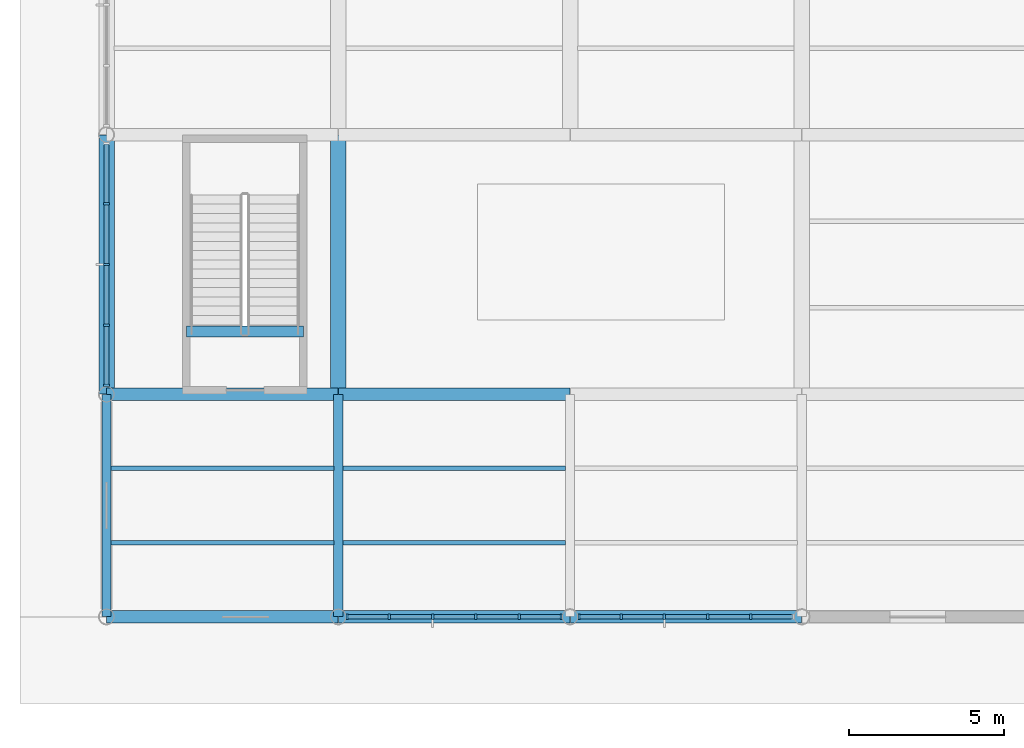
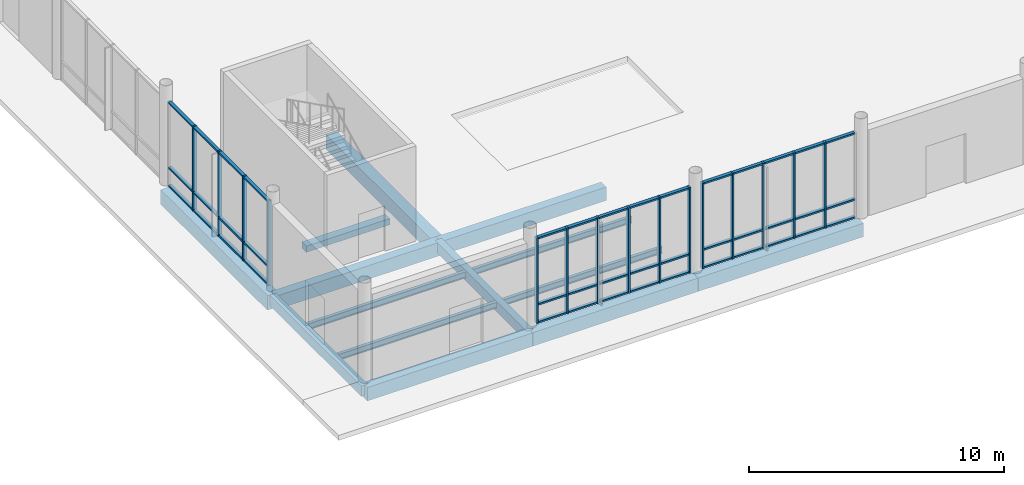
# One storey, part 15 of 82: 57 members, 14 beams, 3 elements without a shape of their own.
"""IFC4 building model written with IfcOpenShell, lengths in metres."""

from ifc_helpers import new_model, si_unit, direction, frame, origin, origin_2d, place, context, subcontext, project, spatial, rectangle, i_section, extrude, material, layer, layer_set, material_profile, profile_set, type_object, element, aggregate, save


model = new_model("IFC4")

# Units and contexts
model_context = context("Model", 3, precision=1e-05, world=origin(), true_north=direction((0.0, 1.0)))
body_context = subcontext(model_context, "Body", "Model", "MODEL_VIEW")
ifc_project = project(units=[si_unit("LENGTHUNIT", "METRE"), si_unit("AREAUNIT", "SQUARE_METRE"), si_unit("VOLUMEUNIT", "CUBIC_METRE"), si_unit("PLANEANGLEUNIT", "RADIAN"), si_unit("MASSUNIT", "GRAM", prefix="KILO")], contexts=[model_context])

# Site, building, storey
site_placement = place(None, origin())
site = spatial("IfcSite", under=ifc_project, at=site_placement, CompositionType="ELEMENT")
building_placement = place(site_placement, origin())
building = spatial("IfcBuilding", under=site, at=building_placement, Name="Yukiwa Park Conservatory and Herbarium", CompositionType="ELEMENT")
storey_placement = place(building_placement, origin())
storey = spatial("IfcBuildingStorey", under=building, at=storey_placement, Name="L00", CompositionType="ELEMENT", Elevation=0.0)

# Beams
ifc_material_1 = material(Name="Steel Q355D", Category="steel")
ifc_material_profile_1 = material_profile(ifc_material_1, i_section(OverallWidth=0.14892578125, OverallDepth=0.298095703125, WebThickness=0.005615234375, FlangeThickness=0.008056640625, FilletRadius=0.012939453125, at=origin_2d()), Name="HN 298x149x5.5x8")
ifc_profile_set_1 = profile_set([ifc_material_profile_1], Name="Steel Q355D")
beam_type_1 = type_object("IfcBeamType", Name="BM-JST-HN298", PredefinedType="JOIST", material=ifc_profile_set_1)
for number, where, z_axis, x_axis, name in (
    (1, (0.14599609375, 2.39990234375, -0.408935546875), (1.0, 0.0, 0.0), (0.0, 1.0, 0.0), "L00 composite floor joist 1"),
    (2, (0.14599609375, 4.800048828125, -0.408935546875), (1.0, 0.0, 0.0), (0.0, 1.0, 0.0), "L00 composite floor joist 2"),
    (3, (7.64599609375, 2.39990234375, -0.408935546875), (1.0, 0.0, 0.0), (0.0, 1.0, 0.0), "L00 composite floor joist 7"),
    (4, (7.64599609375, 4.800048828125, -0.408935546875), (1.0, 0.0, 0.0), (0.0, 1.0, 0.0), "L00 composite floor joist 8"),
):
    element("IfcBeam", number, at=place(storey_placement, frame(where, z_axis=z_axis, x_axis=x_axis)), inside=storey, type_object=beam_type_1, Name=name, PredefinedType="JOIST", context=body_context, shape_type="SweptSolid", body=[
        extrude(i_section(OverallWidth=0.14892578125, OverallDepth=0.298095703125, WebThickness=0.005615234375, FlangeThickness=0.008056640625, FilletRadius=0.012939453125, at=origin_2d()), origin(), (0.0, 0.0, 1.0), 7.2080078125),
    ])
ifc_material_2 = material(Name="Concrete C40", Category="concrete")
ifc_material_profile_2 = material_profile(ifc_material_2, rectangle(XDim=0.300048828125, YDim=0.5, at=origin_2d()), Name="RC 300x500")
ifc_profile_set_2 = profile_set([ifc_material_profile_2], Name="Concrete C40")
beam_type_2 = type_object("IfcBeamType", Name="BM-RC-300X500", PredefinedType="BEAM", material=ifc_profile_set_2)
for number, where, z_axis, x_axis, name in (
    (5, (0.0, 0.006103515625, -0.510009765625), (0.0, 1.0, 0.0), (-1.0, 0.0, 0.0), "L00 grid girder Y-154"),
    (6, (7.5, 0.006103515625, -0.510009765625), (0.0, 1.0, 0.0), (-1.0, 0.0, 0.0), "L00 grid girder Y-158"),
):
    element("IfcBeam", number, at=place(storey_placement, frame(where, z_axis=z_axis, x_axis=x_axis)), inside=storey, type_object=beam_type_2, Name=name, PredefinedType="BEAM", context=body_context, shape_type="SweptSolid", body=[
        extrude(rectangle(XDim=0.300048828125, YDim=0.5, at=origin_2d()), origin(), (0.0, 0.0, 1.0), 7.18798828125),
    ])
ifc_material_3 = material(Name="Concrete C40", Category="concrete")
ifc_material_profile_3 = material_profile(ifc_material_3, rectangle(XDim=0.39990234375, YDim=0.64990234375, at=origin_2d()), Name="RC 400x650")
ifc_profile_set_3 = profile_set([ifc_material_profile_3], Name="Concrete C40")
beam_type_3 = type_object("IfcBeamType", Name="BM-RC-400X650", PredefinedType="BEAM", material=ifc_profile_set_3)
for number, where, z_axis, x_axis, name in (
    (7, (0.006103515625, 0.0, -0.5849609375), (1.0, 0.0, 0.0), (0.0, 1.0, 0.0), "L00 grid beam X-1"),
    (8, (7.506103515625, 0.0, -0.5849609375), (1.0, 0.0, 0.0), (0.0, 1.0, 0.0), "L00 grid beam X-2"),
    (9, (15.006103515625, 0.0, -0.5849609375), (1.0, 0.0, 0.0), (0.0, 1.0, 0.0), "L00 grid beam X-3"),
    (10, (0.006103515625, 7.199951171875, -0.5849609375), (1.0, 0.0, 0.0), (0.0, 1.0, 0.0), "L00 grid beam X-9"),
    (11, (7.506103515625, 7.199951171875, -0.5849609375), (1.0, 0.0, 0.0), (0.0, 1.0, 0.0), "L00 grid beam X-10"),
):
    element("IfcBeam", number, at=place(storey_placement, frame(where, z_axis=z_axis, x_axis=x_axis)), inside=storey, type_object=beam_type_3, Name=name, PredefinedType="BEAM", context=body_context, shape_type="SweptSolid", body=[
        extrude(rectangle(XDim=0.39990234375, YDim=0.64990234375, at=origin_2d()), origin(), (0.0, 0.0, 1.0), 7.48779296875),
    ])
ifc_material_4 = material(Name="Concrete C40", Category="concrete")
ifc_material_profile_4 = material_profile(ifc_material_4, rectangle(XDim=0.5, YDim=0.699951171875, at=origin_2d()), Name="RC 500x700")
ifc_profile_set_4 = profile_set([ifc_material_profile_4], Name="Concrete C40")
beam_type_4 = type_object("IfcBeamType", Name="BM-RC-500X700", PredefinedType="BEAM", material=ifc_profile_set_4)
for number, where, z_axis, x_axis, name in (
    (12, (0.0, 7.2060546875, -0.610107421875), (0.0, 1.0, 0.0), (-1.0, 0.0, 0.0), "L00 grid girder Y-155"),
    (13, (7.5, 7.2060546875, -0.610107421875), (0.0, 1.0, 0.0), (-1.0, 0.0, 0.0), "L00 grid girder Y-159"),
):
    element("IfcBeam", number, at=place(storey_placement, frame(where, z_axis=z_axis, x_axis=x_axis)), inside=storey, type_object=beam_type_4, Name=name, PredefinedType="BEAM", context=body_context, shape_type="SweptSolid", body=[
        extrude(rectangle(XDim=0.5, YDim=0.699951171875, at=origin_2d()), origin(), (0.0, 0.0, 1.0), 8.387939453125),
    ])
ifc_material_5 = material(Name="Concrete C40", Category="concrete")
ifc_material_profile_5 = material_profile(ifc_material_5, rectangle(XDim=0.35009765625, YDim=0.300048828125, at=origin_2d()), Name="RC 350x300")
ifc_profile_set_5 = profile_set([ifc_material_profile_5], Name="Concrete C40")
beam_type_5 = type_object("IfcBeamType", Name="BM-STAIR-TRIM", PredefinedType="BEAM", material=ifc_profile_set_5)
beam_placement = place(storey_placement, frame((2.580078125, 9.22998046875, -0.14990234375), z_axis=(1.0, 0.0, 0.0), x_axis=(0.0, 1.0, 0.0)))
element("IfcBeam", 14, at=beam_placement, inside=storey, type_object=beam_type_5, Name="Stair ST-C1 L00 landing trimmer beam", PredefinedType="BEAM", context=body_context, shape_type="SweptSolid", body=[
    extrude(rectangle(XDim=0.35009765625, YDim=0.300048828125, at=origin_2d()), origin(), (0.0, 0.0, 1.0), 3.7900390625),
])

# Curtain wall, members
ifc_material_6 = material(Name="Triple Low-E Insulated Glass", Category="glass")
ifc_layer_1 = layer(ifc_material_6, 0.152099609375)
ifc_layer_set_1 = layer_set([ifc_layer_1], Name="Triple Low-E Insulated Glass")
curtain_wall_type_1 = type_object("IfcCurtainWallType", Name="CW-CONSERVATORY-1500", PredefinedType="NOTDEFINED", material=ifc_layer_set_1)
curtain_wall_1_placement = place(storey_placement, origin())
curtain_wall_1 = element("IfcCurtainWall", 15, at=curtain_wall_1_placement, inside=storey, type_object=curtain_wall_type_1, Name="L00 unitised curtain wall CW-L00-001", PredefinedType="NOTDEFINED")
ifc_material_7 = material(Name="Anodised Aluminium", Category="aluminium")
member_type_1 = type_object("IfcMemberType", Name="MB-CW-MUL-80X180", PredefinedType="MULLION", material=ifc_material_7)
member_1_placement = place(storey_placement, frame((7.7939453125, 0.0, 0.0), z_axis=(0.0, 0.0, 1.0), x_axis=(1.0, 0.0, 0.0)))
member_1 = element("IfcMember", 16, at=member_1_placement, type_object=member_type_1, Name="CW-L00-001 mullion 1", PredefinedType="MULLION", context=body_context, shape_type="SweptSolid", body=[
    extrude(rectangle(XDim=0.080078125, YDim=0.179931640625, at=origin_2d()), origin(), (0.0, 0.0, 1.0), 4.110107421875),
])
member_2_placement = place(storey_placement, frame((9.15234375, 0.0, 0.0), z_axis=(0.0, 0.0, 1.0), x_axis=(1.0, 0.0, 0.0)))
member_2 = element("IfcMember", 17, at=member_2_placement, type_object=member_type_1, Name="CW-L00-001 mullion 2", PredefinedType="MULLION", context=body_context, shape_type="SweptSolid", body=[
    extrude(rectangle(XDim=0.080078125, YDim=0.179931640625, at=origin_2d()), origin(), (0.0, 0.0, 1.0), 4.110107421875),
])
member_3_placement = place(storey_placement, frame((10.55078125, 0.0, 0.0), z_axis=(0.0, 0.0, 1.0), x_axis=(1.0, 0.0, 0.0)))
member_3 = element("IfcMember", 18, at=member_3_placement, type_object=member_type_1, Name="CW-L00-001 mullion 3", PredefinedType="MULLION", context=body_context, shape_type="SweptSolid", body=[
    extrude(rectangle(XDim=0.080078125, YDim=0.179931640625, at=origin_2d()), origin(), (0.0, 0.0, 1.0), 4.110107421875),
])
member_4_placement = place(storey_placement, frame((11.94921875, 0.0, 0.0), z_axis=(0.0, 0.0, 1.0), x_axis=(1.0, 0.0, 0.0)))
member_4 = element("IfcMember", 19, at=member_4_placement, type_object=member_type_1, Name="CW-L00-001 mullion 4", PredefinedType="MULLION", context=body_context, shape_type="SweptSolid", body=[
    extrude(rectangle(XDim=0.080078125, YDim=0.179931640625, at=origin_2d()), origin(), (0.0, 0.0, 1.0), 4.110107421875),
])
member_5_placement = place(storey_placement, frame((13.34765625, 0.0, 0.0), z_axis=(0.0, 0.0, 1.0), x_axis=(1.0, 0.0, 0.0)))
member_5 = element("IfcMember", 20, at=member_5_placement, type_object=member_type_1, Name="CW-L00-001 mullion 5", PredefinedType="MULLION", context=body_context, shape_type="SweptSolid", body=[
    extrude(rectangle(XDim=0.080078125, YDim=0.179931640625, at=origin_2d()), origin(), (0.0, 0.0, 1.0), 4.110107421875),
])
member_6_placement = place(storey_placement, frame((14.7060546875, 0.0, 0.0), z_axis=(0.0, 0.0, 1.0), x_axis=(1.0, 0.0, 0.0)))
member_6 = element("IfcMember", 21, at=member_6_placement, type_object=member_type_1, Name="CW-L00-001 mullion 6", PredefinedType="MULLION", context=body_context, shape_type="SweptSolid", body=[
    extrude(rectangle(XDim=0.080078125, YDim=0.179931640625, at=origin_2d()), origin(), (0.0, 0.0, 1.0), 4.110107421875),
])

curtain_wall_2_placement = place(storey_placement, origin())
curtain_wall_2 = element("IfcCurtainWall", 22, at=curtain_wall_2_placement, inside=storey, type_object=curtain_wall_type_1, Name="L00 unitised curtain wall CW-L00-002", PredefinedType="NOTDEFINED")
member_7_placement = place(storey_placement, frame((15.2939453125, 0.0, 0.0), z_axis=(0.0, 0.0, 1.0), x_axis=(1.0, 0.0, 0.0)))
member_7 = element("IfcMember", 23, at=member_7_placement, type_object=member_type_1, Name="CW-L00-002 mullion 1", PredefinedType="MULLION", context=body_context, shape_type="SweptSolid", body=[
    extrude(rectangle(XDim=0.080078125, YDim=0.179931640625, at=origin_2d()), origin(), (0.0, 0.0, 1.0), 4.110107421875),
])
member_8_placement = place(storey_placement, frame((16.65234375, 0.0, 0.0), z_axis=(0.0, 0.0, 1.0), x_axis=(1.0, 0.0, 0.0)))
member_8 = element("IfcMember", 24, at=member_8_placement, type_object=member_type_1, Name="CW-L00-002 mullion 2", PredefinedType="MULLION", context=body_context, shape_type="SweptSolid", body=[
    extrude(rectangle(XDim=0.080078125, YDim=0.179931640625, at=origin_2d()), origin(), (0.0, 0.0, 1.0), 4.110107421875),
])
member_9_placement = place(storey_placement, frame((18.05078125, 0.0, 0.0), z_axis=(0.0, 0.0, 1.0), x_axis=(1.0, 0.0, 0.0)))
member_9 = element("IfcMember", 25, at=member_9_placement, type_object=member_type_1, Name="CW-L00-002 mullion 3", PredefinedType="MULLION", context=body_context, shape_type="SweptSolid", body=[
    extrude(rectangle(XDim=0.080078125, YDim=0.179931640625, at=origin_2d()), origin(), (0.0, 0.0, 1.0), 4.110107421875),
])
member_10_placement = place(storey_placement, frame((19.44921875, 0.0, 0.0), z_axis=(0.0, 0.0, 1.0), x_axis=(1.0, 0.0, 0.0)))
member_10 = element("IfcMember", 26, at=member_10_placement, type_object=member_type_1, Name="CW-L00-002 mullion 4", PredefinedType="MULLION", context=body_context, shape_type="SweptSolid", body=[
    extrude(rectangle(XDim=0.080078125, YDim=0.179931640625, at=origin_2d()), origin(), (0.0, 0.0, 1.0), 4.110107421875),
])
member_11_placement = place(storey_placement, frame((20.84765625, 0.0, 0.0), z_axis=(0.0, 0.0, 1.0), x_axis=(1.0, 0.0, 0.0)))
member_11 = element("IfcMember", 27, at=member_11_placement, type_object=member_type_1, Name="CW-L00-002 mullion 5", PredefinedType="MULLION", context=body_context, shape_type="SweptSolid", body=[
    extrude(rectangle(XDim=0.080078125, YDim=0.179931640625, at=origin_2d()), origin(), (0.0, 0.0, 1.0), 4.110107421875),
])

ifc_material_8 = material(Name="Triple Low-E Insulated Glass", Category="glass")
ifc_layer_2 = layer(ifc_material_8, 0.1640625)
ifc_layer_set_2 = layer_set([ifc_layer_2], Name="Triple Low-E Insulated Glass")
curtain_wall_type_2 = type_object("IfcCurtainWallType", Name="CW-CONSERVATORY-1875", PredefinedType="NOTDEFINED", material=ifc_layer_set_2)
curtain_wall_3_placement = place(storey_placement, origin())
curtain_wall_3 = element("IfcCurtainWall", 28, at=curtain_wall_3_placement, inside=storey, type_object=curtain_wall_type_2, Name="L00 unitised curtain wall CW-L00-025", PredefinedType="NOTDEFINED")
member_12_placement = place(storey_placement, frame((0.0, 13.373046875, 0.0), z_axis=(0.0, 0.0, 1.0), x_axis=(0.0, -1.0, 0.0)))
member_12 = element("IfcMember", 29, at=member_12_placement, type_object=member_type_1, Name="CW-L00-025 mullion 2", PredefinedType="MULLION", context=body_context, shape_type="SweptSolid", body=[
    extrude(rectangle(XDim=0.080078125, YDim=0.179931640625, at=origin_2d()), origin(), (0.0, 0.0, 1.0), 4.06005859375),
])
member_13_placement = place(storey_placement, frame((0.0, 11.39990234375, 0.0), z_axis=(0.0, 0.0, 1.0), x_axis=(0.0, -1.0, 0.0)))
member_13 = element("IfcMember", 30, at=member_13_placement, type_object=member_type_1, Name="CW-L00-025 mullion 3", PredefinedType="MULLION", context=body_context, shape_type="SweptSolid", body=[
    extrude(rectangle(XDim=0.080078125, YDim=0.179931640625, at=origin_2d()), origin(), (0.0, 0.0, 1.0), 4.06005859375),
])
member_14_placement = place(storey_placement, frame((0.0, 9.427001953125, 0.0), z_axis=(0.0, 0.0, 1.0), x_axis=(0.0, -1.0, 0.0)))
member_14 = element("IfcMember", 31, at=member_14_placement, type_object=member_type_1, Name="CW-L00-025 mullion 4", PredefinedType="MULLION", context=body_context, shape_type="SweptSolid", body=[
    extrude(rectangle(XDim=0.080078125, YDim=0.179931640625, at=origin_2d()), origin(), (0.0, 0.0, 1.0), 4.06005859375),
])
member_15_placement = place(storey_placement, frame((0.0, 7.493896484375, 0.0), z_axis=(0.0, 0.0, 1.0), x_axis=(0.0, -1.0, 0.0)))
member_15 = element("IfcMember", 32, at=member_15_placement, type_object=member_type_1, Name="CW-L00-025 mullion 5", PredefinedType="MULLION", context=body_context, shape_type="SweptSolid", body=[
    extrude(rectangle(XDim=0.080078125, YDim=0.179931640625, at=origin_2d()), origin(), (0.0, 0.0, 1.0), 4.06005859375),
])

# Member
ifc_material_9 = material(Name="Anodised Aluminium", Category="aluminium")
member_type_2 = type_object("IfcMemberType", Name="MB-CW-TRN-80X150", PredefinedType="USERDEFINED", material=ifc_material_9)
member_16_placement = place(storey_placement, frame((8.453125, 0.0, 0.0), z_axis=(0.0, 0.0, 1.0), x_axis=(1.0, 0.0, 0.0)))
member_16 = element("IfcMember", 33, at=member_16_placement, type_object=member_type_2, Name="CW-L00-001 transom 1.1", ObjectType="TRANSOM", PredefinedType="USERDEFINED", context=body_context, shape_type="SweptSolid", body=[
    extrude(rectangle(XDim=1.318359375, YDim=0.14990234375, at=origin_2d()), origin(), (0.0, 0.0, 1.0), 0.080078125),
])

member_17_placement = place(storey_placement, frame((8.453125, 0.0, 0.85986328125), z_axis=(0.0, 0.0, 1.0), x_axis=(1.0, 0.0, 0.0)))
member_17 = element("IfcMember", 34, at=member_17_placement, type_object=member_type_2, Name="CW-L00-001 transom 1.2", ObjectType="TRANSOM", PredefinedType="USERDEFINED", context=body_context, shape_type="SweptSolid", body=[
    extrude(rectangle(XDim=1.318359375, YDim=0.14990234375, at=origin_2d()), origin(), (0.0, 0.0, 1.0), 0.080078125),
])

member_18_placement = place(storey_placement, frame((8.453125, 0.0, 4.030029296875), z_axis=(0.0, 0.0, 1.0), x_axis=(1.0, 0.0, 0.0)))
member_18 = element("IfcMember", 35, at=member_18_placement, type_object=member_type_2, Name="CW-L00-001 transom 1.3", ObjectType="TRANSOM", PredefinedType="USERDEFINED", context=body_context, shape_type="SweptSolid", body=[
    extrude(rectangle(XDim=1.318359375, YDim=0.14990234375, at=origin_2d()), origin(), (0.0, 0.0, 1.0), 0.080078125),
])

member_19_placement = place(storey_placement, frame((9.8515625, 0.0, 0.0), z_axis=(0.0, 0.0, 1.0), x_axis=(1.0, 0.0, 0.0)))
member_19 = element("IfcMember", 36, at=member_19_placement, type_object=member_type_2, Name="CW-L00-001 transom 2.1", ObjectType="TRANSOM", PredefinedType="USERDEFINED", context=body_context, shape_type="SweptSolid", body=[
    extrude(rectangle(XDim=1.318359375, YDim=0.14990234375, at=origin_2d()), origin(), (0.0, 0.0, 1.0), 0.080078125),
])

member_20_placement = place(storey_placement, frame((9.8515625, 0.0, 0.85986328125), z_axis=(0.0, 0.0, 1.0), x_axis=(1.0, 0.0, 0.0)))
member_20 = element("IfcMember", 37, at=member_20_placement, type_object=member_type_2, Name="CW-L00-001 transom 2.2", ObjectType="TRANSOM", PredefinedType="USERDEFINED", context=body_context, shape_type="SweptSolid", body=[
    extrude(rectangle(XDim=1.318359375, YDim=0.14990234375, at=origin_2d()), origin(), (0.0, 0.0, 1.0), 0.080078125),
])

member_21_placement = place(storey_placement, frame((9.8515625, 0.0, 4.030029296875), z_axis=(0.0, 0.0, 1.0), x_axis=(1.0, 0.0, 0.0)))
member_21 = element("IfcMember", 38, at=member_21_placement, type_object=member_type_2, Name="CW-L00-001 transom 2.3", ObjectType="TRANSOM", PredefinedType="USERDEFINED", context=body_context, shape_type="SweptSolid", body=[
    extrude(rectangle(XDim=1.318359375, YDim=0.14990234375, at=origin_2d()), origin(), (0.0, 0.0, 1.0), 0.080078125),
])

member_22_placement = place(storey_placement, frame((11.25, 0.0, 0.0), z_axis=(0.0, 0.0, 1.0), x_axis=(1.0, 0.0, 0.0)))
member_22 = element("IfcMember", 39, at=member_22_placement, type_object=member_type_2, Name="CW-L00-001 transom 3.1", ObjectType="TRANSOM", PredefinedType="USERDEFINED", context=body_context, shape_type="SweptSolid", body=[
    extrude(rectangle(XDim=1.318359375, YDim=0.14990234375, at=origin_2d()), origin(), (0.0, 0.0, 1.0), 0.080078125),
])

member_23_placement = place(storey_placement, frame((11.25, 0.0, 0.85986328125), z_axis=(0.0, 0.0, 1.0), x_axis=(1.0, 0.0, 0.0)))
member_23 = element("IfcMember", 40, at=member_23_placement, type_object=member_type_2, Name="CW-L00-001 transom 3.2", ObjectType="TRANSOM", PredefinedType="USERDEFINED", context=body_context, shape_type="SweptSolid", body=[
    extrude(rectangle(XDim=1.318359375, YDim=0.14990234375, at=origin_2d()), origin(), (0.0, 0.0, 1.0), 0.080078125),
])

member_24_placement = place(storey_placement, frame((11.25, 0.0, 4.030029296875), z_axis=(0.0, 0.0, 1.0), x_axis=(1.0, 0.0, 0.0)))
member_24 = element("IfcMember", 41, at=member_24_placement, type_object=member_type_2, Name="CW-L00-001 transom 3.3", ObjectType="TRANSOM", PredefinedType="USERDEFINED", context=body_context, shape_type="SweptSolid", body=[
    extrude(rectangle(XDim=1.318359375, YDim=0.14990234375, at=origin_2d()), origin(), (0.0, 0.0, 1.0), 0.080078125),
])

member_25_placement = place(storey_placement, frame((12.6484375, 0.0, 0.0), z_axis=(0.0, 0.0, 1.0), x_axis=(1.0, 0.0, 0.0)))
member_25 = element("IfcMember", 42, at=member_25_placement, type_object=member_type_2, Name="CW-L00-001 transom 4.1", ObjectType="TRANSOM", PredefinedType="USERDEFINED", context=body_context, shape_type="SweptSolid", body=[
    extrude(rectangle(XDim=1.318359375, YDim=0.14990234375, at=origin_2d()), origin(), (0.0, 0.0, 1.0), 0.080078125),
])

member_26_placement = place(storey_placement, frame((12.6484375, 0.0, 0.85986328125), z_axis=(0.0, 0.0, 1.0), x_axis=(1.0, 0.0, 0.0)))
member_26 = element("IfcMember", 43, at=member_26_placement, type_object=member_type_2, Name="CW-L00-001 transom 4.2", ObjectType="TRANSOM", PredefinedType="USERDEFINED", context=body_context, shape_type="SweptSolid", body=[
    extrude(rectangle(XDim=1.318359375, YDim=0.14990234375, at=origin_2d()), origin(), (0.0, 0.0, 1.0), 0.080078125),
])

member_27_placement = place(storey_placement, frame((12.6484375, 0.0, 4.030029296875), z_axis=(0.0, 0.0, 1.0), x_axis=(1.0, 0.0, 0.0)))
member_27 = element("IfcMember", 44, at=member_27_placement, type_object=member_type_2, Name="CW-L00-001 transom 4.3", ObjectType="TRANSOM", PredefinedType="USERDEFINED", context=body_context, shape_type="SweptSolid", body=[
    extrude(rectangle(XDim=1.318359375, YDim=0.14990234375, at=origin_2d()), origin(), (0.0, 0.0, 1.0), 0.080078125),
])

member_28_placement = place(storey_placement, frame((14.046875, 0.0, 0.0), z_axis=(0.0, 0.0, 1.0), x_axis=(1.0, 0.0, 0.0)))
member_28 = element("IfcMember", 45, at=member_28_placement, type_object=member_type_2, Name="CW-L00-001 transom 5.1", ObjectType="TRANSOM", PredefinedType="USERDEFINED", context=body_context, shape_type="SweptSolid", body=[
    extrude(rectangle(XDim=1.318359375, YDim=0.14990234375, at=origin_2d()), origin(), (0.0, 0.0, 1.0), 0.080078125),
])

member_29_placement = place(storey_placement, frame((14.046875, 0.0, 0.85986328125), z_axis=(0.0, 0.0, 1.0), x_axis=(1.0, 0.0, 0.0)))
member_29 = element("IfcMember", 46, at=member_29_placement, type_object=member_type_2, Name="CW-L00-001 transom 5.2", ObjectType="TRANSOM", PredefinedType="USERDEFINED", context=body_context, shape_type="SweptSolid", body=[
    extrude(rectangle(XDim=1.318359375, YDim=0.14990234375, at=origin_2d()), origin(), (0.0, 0.0, 1.0), 0.080078125),
])

member_30_placement = place(storey_placement, frame((14.046875, 0.0, 4.030029296875), z_axis=(0.0, 0.0, 1.0), x_axis=(1.0, 0.0, 0.0)))
member_30 = element("IfcMember", 47, at=member_30_placement, type_object=member_type_2, Name="CW-L00-001 transom 5.3", ObjectType="TRANSOM", PredefinedType="USERDEFINED", context=body_context, shape_type="SweptSolid", body=[
    extrude(rectangle(XDim=1.318359375, YDim=0.14990234375, at=origin_2d()), origin(), (0.0, 0.0, 1.0), 0.080078125),
])

aggregate(curtain_wall_1, [member_1, member_2, member_3, member_4, member_5, member_6, member_16, member_17, member_18, member_19, member_20, member_21, member_22, member_23, member_24, member_25, member_26, member_27, member_28, member_29, member_30])

member_31_placement = place(storey_placement, frame((15.953125, 0.0, 0.0), z_axis=(0.0, 0.0, 1.0), x_axis=(1.0, 0.0, 0.0)))
member_31 = element("IfcMember", 48, at=member_31_placement, type_object=member_type_2, Name="CW-L00-002 transom 1.1", ObjectType="TRANSOM", PredefinedType="USERDEFINED", context=body_context, shape_type="SweptSolid", body=[
    extrude(rectangle(XDim=1.318359375, YDim=0.14990234375, at=origin_2d()), origin(), (0.0, 0.0, 1.0), 0.080078125),
])

member_32_placement = place(storey_placement, frame((15.953125, 0.0, 0.85986328125), z_axis=(0.0, 0.0, 1.0), x_axis=(1.0, 0.0, 0.0)))
member_32 = element("IfcMember", 49, at=member_32_placement, type_object=member_type_2, Name="CW-L00-002 transom 1.2", ObjectType="TRANSOM", PredefinedType="USERDEFINED", context=body_context, shape_type="SweptSolid", body=[
    extrude(rectangle(XDim=1.318359375, YDim=0.14990234375, at=origin_2d()), origin(), (0.0, 0.0, 1.0), 0.080078125),
])

member_33_placement = place(storey_placement, frame((15.953125, 0.0, 4.030029296875), z_axis=(0.0, 0.0, 1.0), x_axis=(1.0, 0.0, 0.0)))
member_33 = element("IfcMember", 50, at=member_33_placement, type_object=member_type_2, Name="CW-L00-002 transom 1.3", ObjectType="TRANSOM", PredefinedType="USERDEFINED", context=body_context, shape_type="SweptSolid", body=[
    extrude(rectangle(XDim=1.318359375, YDim=0.14990234375, at=origin_2d()), origin(), (0.0, 0.0, 1.0), 0.080078125),
])

member_34_placement = place(storey_placement, frame((17.3515625, 0.0, 0.0), z_axis=(0.0, 0.0, 1.0), x_axis=(1.0, 0.0, 0.0)))
member_34 = element("IfcMember", 51, at=member_34_placement, type_object=member_type_2, Name="CW-L00-002 transom 2.1", ObjectType="TRANSOM", PredefinedType="USERDEFINED", context=body_context, shape_type="SweptSolid", body=[
    extrude(rectangle(XDim=1.318359375, YDim=0.14990234375, at=origin_2d()), origin(), (0.0, 0.0, 1.0), 0.080078125),
])

member_35_placement = place(storey_placement, frame((17.3515625, 0.0, 0.85986328125), z_axis=(0.0, 0.0, 1.0), x_axis=(1.0, 0.0, 0.0)))
member_35 = element("IfcMember", 52, at=member_35_placement, type_object=member_type_2, Name="CW-L00-002 transom 2.2", ObjectType="TRANSOM", PredefinedType="USERDEFINED", context=body_context, shape_type="SweptSolid", body=[
    extrude(rectangle(XDim=1.318359375, YDim=0.14990234375, at=origin_2d()), origin(), (0.0, 0.0, 1.0), 0.080078125),
])

member_36_placement = place(storey_placement, frame((17.3515625, 0.0, 4.030029296875), z_axis=(0.0, 0.0, 1.0), x_axis=(1.0, 0.0, 0.0)))
member_36 = element("IfcMember", 53, at=member_36_placement, type_object=member_type_2, Name="CW-L00-002 transom 2.3", ObjectType="TRANSOM", PredefinedType="USERDEFINED", context=body_context, shape_type="SweptSolid", body=[
    extrude(rectangle(XDim=1.318359375, YDim=0.14990234375, at=origin_2d()), origin(), (0.0, 0.0, 1.0), 0.080078125),
])

member_37_placement = place(storey_placement, frame((18.75, 0.0, 0.0), z_axis=(0.0, 0.0, 1.0), x_axis=(1.0, 0.0, 0.0)))
member_37 = element("IfcMember", 54, at=member_37_placement, type_object=member_type_2, Name="CW-L00-002 transom 3.1", ObjectType="TRANSOM", PredefinedType="USERDEFINED", context=body_context, shape_type="SweptSolid", body=[
    extrude(rectangle(XDim=1.318359375, YDim=0.14990234375, at=origin_2d()), origin(), (0.0, 0.0, 1.0), 0.080078125),
])

member_38_placement = place(storey_placement, frame((18.75, 0.0, 0.85986328125), z_axis=(0.0, 0.0, 1.0), x_axis=(1.0, 0.0, 0.0)))
member_38 = element("IfcMember", 55, at=member_38_placement, type_object=member_type_2, Name="CW-L00-002 transom 3.2", ObjectType="TRANSOM", PredefinedType="USERDEFINED", context=body_context, shape_type="SweptSolid", body=[
    extrude(rectangle(XDim=1.318359375, YDim=0.14990234375, at=origin_2d()), origin(), (0.0, 0.0, 1.0), 0.080078125),
])

member_39_placement = place(storey_placement, frame((18.75, 0.0, 4.030029296875), z_axis=(0.0, 0.0, 1.0), x_axis=(1.0, 0.0, 0.0)))
member_39 = element("IfcMember", 56, at=member_39_placement, type_object=member_type_2, Name="CW-L00-002 transom 3.3", ObjectType="TRANSOM", PredefinedType="USERDEFINED", context=body_context, shape_type="SweptSolid", body=[
    extrude(rectangle(XDim=1.318359375, YDim=0.14990234375, at=origin_2d()), origin(), (0.0, 0.0, 1.0), 0.080078125),
])

member_40_placement = place(storey_placement, frame((20.1484375, 0.0, 0.0), z_axis=(0.0, 0.0, 1.0), x_axis=(1.0, 0.0, 0.0)))
member_40 = element("IfcMember", 57, at=member_40_placement, type_object=member_type_2, Name="CW-L00-002 transom 4.1", ObjectType="TRANSOM", PredefinedType="USERDEFINED", context=body_context, shape_type="SweptSolid", body=[
    extrude(rectangle(XDim=1.318359375, YDim=0.14990234375, at=origin_2d()), origin(), (0.0, 0.0, 1.0), 0.080078125),
])

member_41_placement = place(storey_placement, frame((20.1484375, 0.0, 0.85986328125), z_axis=(0.0, 0.0, 1.0), x_axis=(1.0, 0.0, 0.0)))
member_41 = element("IfcMember", 58, at=member_41_placement, type_object=member_type_2, Name="CW-L00-002 transom 4.2", ObjectType="TRANSOM", PredefinedType="USERDEFINED", context=body_context, shape_type="SweptSolid", body=[
    extrude(rectangle(XDim=1.318359375, YDim=0.14990234375, at=origin_2d()), origin(), (0.0, 0.0, 1.0), 0.080078125),
])

member_42_placement = place(storey_placement, frame((20.1484375, 0.0, 4.030029296875), z_axis=(0.0, 0.0, 1.0), x_axis=(1.0, 0.0, 0.0)))
member_42 = element("IfcMember", 59, at=member_42_placement, type_object=member_type_2, Name="CW-L00-002 transom 4.3", ObjectType="TRANSOM", PredefinedType="USERDEFINED", context=body_context, shape_type="SweptSolid", body=[
    extrude(rectangle(XDim=1.318359375, YDim=0.14990234375, at=origin_2d()), origin(), (0.0, 0.0, 1.0), 0.080078125),
])

member_43_placement = place(storey_placement, frame((21.546875, 0.0, 0.0), z_axis=(0.0, 0.0, 1.0), x_axis=(1.0, 0.0, 0.0)))
member_43 = element("IfcMember", 60, at=member_43_placement, type_object=member_type_2, Name="CW-L00-002 transom 5.1", ObjectType="TRANSOM", PredefinedType="USERDEFINED", context=body_context, shape_type="SweptSolid", body=[
    extrude(rectangle(XDim=1.318359375, YDim=0.14990234375, at=origin_2d()), origin(), (0.0, 0.0, 1.0), 0.080078125),
])

member_44_placement = place(storey_placement, frame((21.546875, 0.0, 0.85986328125), z_axis=(0.0, 0.0, 1.0), x_axis=(1.0, 0.0, 0.0)))
member_44 = element("IfcMember", 61, at=member_44_placement, type_object=member_type_2, Name="CW-L00-002 transom 5.2", ObjectType="TRANSOM", PredefinedType="USERDEFINED", context=body_context, shape_type="SweptSolid", body=[
    extrude(rectangle(XDim=1.318359375, YDim=0.14990234375, at=origin_2d()), origin(), (0.0, 0.0, 1.0), 0.080078125),
])

member_45_placement = place(storey_placement, frame((21.546875, 0.0, 4.030029296875), z_axis=(0.0, 0.0, 1.0), x_axis=(1.0, 0.0, 0.0)))
member_45 = element("IfcMember", 62, at=member_45_placement, type_object=member_type_2, Name="CW-L00-002 transom 5.3", ObjectType="TRANSOM", PredefinedType="USERDEFINED", context=body_context, shape_type="SweptSolid", body=[
    extrude(rectangle(XDim=1.318359375, YDim=0.14990234375, at=origin_2d()), origin(), (0.0, 0.0, 1.0), 0.080078125),
])

aggregate(curtain_wall_2, [member_7, member_8, member_9, member_10, member_11, member_31, member_32, member_33, member_34, member_35, member_36, member_37, member_38, member_39, member_40, member_41, member_42, member_43, member_44, member_45])

member_46_placement = place(storey_placement, frame((0.0, 14.359619140625, 0.0), z_axis=(0.0, 0.0, 1.0), x_axis=(0.0, -1.0, 0.0)))
member_46 = element("IfcMember", 63, at=member_46_placement, type_object=member_type_2, Name="CW-L00-025 transom 1.1", ObjectType="TRANSOM", PredefinedType="USERDEFINED", context=body_context, shape_type="SweptSolid", body=[
    extrude(rectangle(XDim=1.89306640625, YDim=0.14990234375, at=origin_2d()), origin(), (0.0, 0.0, 1.0), 0.080078125),
])

member_47_placement = place(storey_placement, frame((0.0, 14.359619140625, 0.85986328125), z_axis=(0.0, 0.0, 1.0), x_axis=(0.0, -1.0, 0.0)))
member_47 = element("IfcMember", 64, at=member_47_placement, type_object=member_type_2, Name="CW-L00-025 transom 1.2", ObjectType="TRANSOM", PredefinedType="USERDEFINED", context=body_context, shape_type="SweptSolid", body=[
    extrude(rectangle(XDim=1.89306640625, YDim=0.14990234375, at=origin_2d()), origin(), (0.0, 0.0, 1.0), 0.080078125),
])

member_48_placement = place(storey_placement, frame((0.0, 14.359619140625, 3.97998046875), z_axis=(0.0, 0.0, 1.0), x_axis=(0.0, -1.0, 0.0)))
member_48 = element("IfcMember", 65, at=member_48_placement, type_object=member_type_2, Name="CW-L00-025 transom 1.3", ObjectType="TRANSOM", PredefinedType="USERDEFINED", context=body_context, shape_type="SweptSolid", body=[
    extrude(rectangle(XDim=1.89306640625, YDim=0.14990234375, at=origin_2d()), origin(), (0.0, 0.0, 1.0), 0.080078125),
])

member_49_placement = place(storey_placement, frame((0.0, 12.386474609375, 0.0), z_axis=(0.0, 0.0, 1.0), x_axis=(0.0, -1.0, 0.0)))
member_49 = element("IfcMember", 66, at=member_49_placement, type_object=member_type_2, Name="CW-L00-025 transom 2.1", ObjectType="TRANSOM", PredefinedType="USERDEFINED", context=body_context, shape_type="SweptSolid", body=[
    extrude(rectangle(XDim=1.89306640625, YDim=0.14990234375, at=origin_2d()), origin(), (0.0, 0.0, 1.0), 0.080078125),
])

member_50_placement = place(storey_placement, frame((0.0, 12.386474609375, 0.85986328125), z_axis=(0.0, 0.0, 1.0), x_axis=(0.0, -1.0, 0.0)))
member_50 = element("IfcMember", 67, at=member_50_placement, type_object=member_type_2, Name="CW-L00-025 transom 2.2", ObjectType="TRANSOM", PredefinedType="USERDEFINED", context=body_context, shape_type="SweptSolid", body=[
    extrude(rectangle(XDim=1.89306640625, YDim=0.14990234375, at=origin_2d()), origin(), (0.0, 0.0, 1.0), 0.080078125),
])

member_51_placement = place(storey_placement, frame((0.0, 12.386474609375, 3.97998046875), z_axis=(0.0, 0.0, 1.0), x_axis=(0.0, -1.0, 0.0)))
member_51 = element("IfcMember", 68, at=member_51_placement, type_object=member_type_2, Name="CW-L00-025 transom 2.3", ObjectType="TRANSOM", PredefinedType="USERDEFINED", context=body_context, shape_type="SweptSolid", body=[
    extrude(rectangle(XDim=1.89306640625, YDim=0.14990234375, at=origin_2d()), origin(), (0.0, 0.0, 1.0), 0.080078125),
])

member_52_placement = place(storey_placement, frame((0.0, 10.41357421875, 0.0), z_axis=(0.0, 0.0, 1.0), x_axis=(0.0, -1.0, 0.0)))
member_52 = element("IfcMember", 69, at=member_52_placement, type_object=member_type_2, Name="CW-L00-025 transom 3.1", ObjectType="TRANSOM", PredefinedType="USERDEFINED", context=body_context, shape_type="SweptSolid", body=[
    extrude(rectangle(XDim=1.89306640625, YDim=0.14990234375, at=origin_2d()), origin(), (0.0, 0.0, 1.0), 0.080078125),
])

member_53_placement = place(storey_placement, frame((0.0, 10.41357421875, 0.85986328125), z_axis=(0.0, 0.0, 1.0), x_axis=(0.0, -1.0, 0.0)))
member_53 = element("IfcMember", 70, at=member_53_placement, type_object=member_type_2, Name="CW-L00-025 transom 3.2", ObjectType="TRANSOM", PredefinedType="USERDEFINED", context=body_context, shape_type="SweptSolid", body=[
    extrude(rectangle(XDim=1.89306640625, YDim=0.14990234375, at=origin_2d()), origin(), (0.0, 0.0, 1.0), 0.080078125),
])

member_54_placement = place(storey_placement, frame((0.0, 10.41357421875, 3.97998046875), z_axis=(0.0, 0.0, 1.0), x_axis=(0.0, -1.0, 0.0)))
member_54 = element("IfcMember", 71, at=member_54_placement, type_object=member_type_2, Name="CW-L00-025 transom 3.3", ObjectType="TRANSOM", PredefinedType="USERDEFINED", context=body_context, shape_type="SweptSolid", body=[
    extrude(rectangle(XDim=1.89306640625, YDim=0.14990234375, at=origin_2d()), origin(), (0.0, 0.0, 1.0), 0.080078125),
])

member_55_placement = place(storey_placement, frame((0.0, 8.4404296875, 0.0), z_axis=(0.0, 0.0, 1.0), x_axis=(0.0, -1.0, 0.0)))
member_55 = element("IfcMember", 72, at=member_55_placement, type_object=member_type_2, Name="CW-L00-025 transom 4.1", ObjectType="TRANSOM", PredefinedType="USERDEFINED", context=body_context, shape_type="SweptSolid", body=[
    extrude(rectangle(XDim=1.89306640625, YDim=0.14990234375, at=origin_2d()), origin(), (0.0, 0.0, 1.0), 0.080078125),
])

member_56_placement = place(storey_placement, frame((0.0, 8.4404296875, 0.85986328125), z_axis=(0.0, 0.0, 1.0), x_axis=(0.0, -1.0, 0.0)))
member_56 = element("IfcMember", 73, at=member_56_placement, type_object=member_type_2, Name="CW-L00-025 transom 4.2", ObjectType="TRANSOM", PredefinedType="USERDEFINED", context=body_context, shape_type="SweptSolid", body=[
    extrude(rectangle(XDim=1.89306640625, YDim=0.14990234375, at=origin_2d()), origin(), (0.0, 0.0, 1.0), 0.080078125),
])

member_57_placement = place(storey_placement, frame((0.0, 8.4404296875, 3.97998046875), z_axis=(0.0, 0.0, 1.0), x_axis=(0.0, -1.0, 0.0)))
member_57 = element("IfcMember", 74, at=member_57_placement, type_object=member_type_2, Name="CW-L00-025 transom 4.3", ObjectType="TRANSOM", PredefinedType="USERDEFINED", context=body_context, shape_type="SweptSolid", body=[
    extrude(rectangle(XDim=1.89306640625, YDim=0.14990234375, at=origin_2d()), origin(), (0.0, 0.0, 1.0), 0.080078125),
])

aggregate(curtain_wall_3, [member_12, member_13, member_14, member_15, member_46, member_47, member_48, member_49, member_50, member_51, member_52, member_53, member_54, member_55, member_56, member_57])

save(model, "model.ifc")
